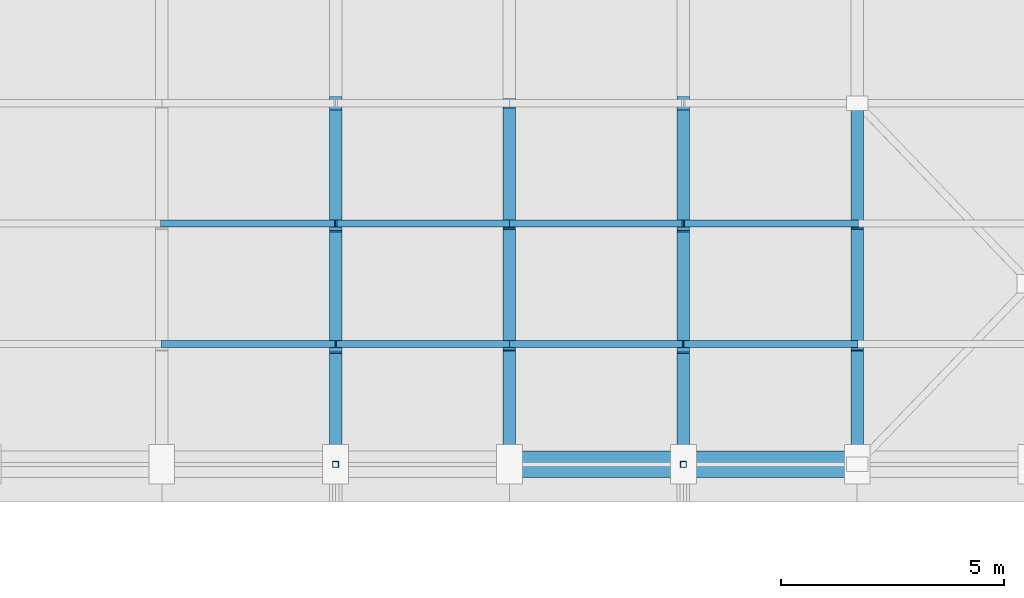
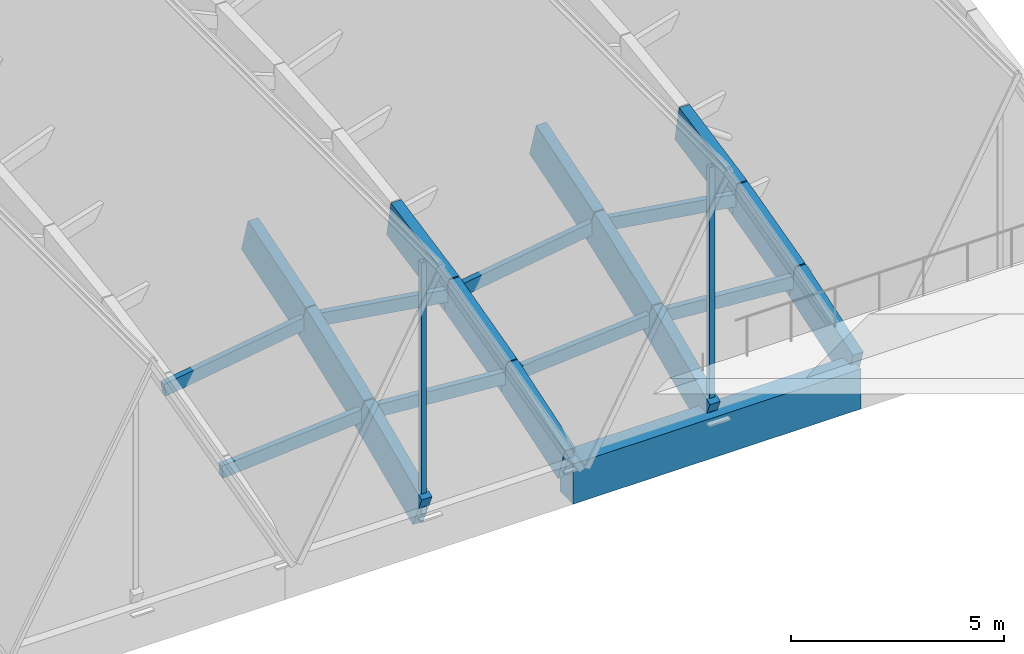
# One storey, part 8 of 39: 22 members, 1 beam.
"""IFC4 building model written with IfcOpenShell, lengths in metres."""

from ifc_helpers import new_model, si_unit, direction, frame, origin, origin_2d, place, context, subcontext, project, spatial, rectangle, hollow_rectangle, extrude, material, material_profile, profile_set, type_object, element, save


model = new_model("IFC4")

# Units and contexts
model_context = context("Model", 3, precision=1e-05, world=origin(), true_north=direction((0.0, 1.0)))
body_context = subcontext(model_context, "Body", "Model", "MODEL_VIEW")
ifc_project = project(units=[si_unit("LENGTHUNIT", "METRE"), si_unit("AREAUNIT", "SQUARE_METRE"), si_unit("VOLUMEUNIT", "CUBIC_METRE"), si_unit("PLANEANGLEUNIT", "RADIAN"), si_unit("MASSUNIT", "GRAM", prefix="KILO")], contexts=[model_context])

# Site, building, storey
site_placement = place(None, origin())
site = spatial("IfcSite", under=ifc_project, at=site_placement, CompositionType="ELEMENT")
building_placement = place(site_placement, origin())
building = spatial("IfcBuilding", under=site, at=building_placement, Name="Tizgana Railside Sports Hall", CompositionType="ELEMENT")
storey_placement = place(building_placement, frame((0.0, 0.0, 23.699951171875)))
storey = spatial("IfcBuildingStorey", under=building, at=storey_placement, Name="RF", CompositionType="ELEMENT", Elevation=23.699951171875)

# Beam
ifc_material_1 = material(Name="Concrete C40/50", Category="concrete")
ifc_material_profile_1 = material_profile(ifc_material_1, rectangle(XDim=0.60009765625, YDim=1.14990234375, at=origin_2d()), Name="RCB 600x1150")
ifc_profile_set_1 = profile_set([ifc_material_profile_1], Name="Concrete C40/50")
beam_type = type_object("IfcBeamType", Name="Concrete Beam RCB 600x1150", PredefinedType="BEAM", material=ifc_profile_set_1)
beam_placement = place(storey_placement, frame((39.0, 40.800048828125, -8.675048828125), z_axis=(1.0, 0.0, 0.0), x_axis=(0.0, 1.0, 0.0)))
element("IfcBeam", 1, at=beam_placement, inside=storey, type_object=beam_type, Name="RF BEM-1215", PredefinedType="BEAM", context=body_context, shape_type="SweptSolid", body=[
    extrude(rectangle(XDim=0.60009765625, YDim=1.14990234375, at=origin_2d()), origin(), (0.0, 0.0, 1.0), 7.800048828125),
])

# Members
ifc_material_2 = material(Name="Glulam GL32h", Category="wood")
ifc_material_profile_2 = material_profile(ifc_material_2, rectangle(XDim=0.280029296875, YDim=1.050048828125, at=origin_2d()), Name="GL 280x1050")
ifc_profile_set_2 = profile_set([ifc_material_profile_2], Name="Glulam GL32h")
member_type_1 = type_object("IfcMemberType", Name="Glulam Arch Segment GL 280x1050", PredefinedType="USERDEFINED", material=ifc_profile_set_2)
member_1_placement = place(storey_placement, frame((35.10009765625, 40.800048828125, -8.25), z_axis=(0.0, 0.91644048833, 0.400171002635), x_axis=(-1.0, 0.0, 0.0)))
element("IfcMember", 2, at=member_1_placement, inside=storey, type_object=member_type_1, Name="RF V1 Arch Chord MEM-0141", ObjectType="ARCH_SEGMENT", PredefinedType="USERDEFINED", context=body_context, shape_type="SweptSolid", body=[
    extrude(rectangle(XDim=0.280029296875, YDim=1.050048828125, at=origin_2d()), origin(), (0.0, 0.0, 1.0), 2.946044921875),
])
member_2_placement = place(storey_placement, frame((35.10009765625, 43.5, -7.071044921875), z_axis=(0.0, 0.936999478025, 0.349330757564), x_axis=(-1.0, 0.0, 0.0)))
element("IfcMember", 3, at=member_2_placement, inside=storey, type_object=member_type_1, Name="RF V1 Arch Chord MEM-0142", ObjectType="ARCH_SEGMENT", PredefinedType="USERDEFINED", context=body_context, shape_type="SweptSolid", body=[
    extrude(rectangle(XDim=0.280029296875, YDim=1.050048828125, at=origin_2d()), origin(), (0.0, 0.0, 1.0), 2.881591796875),
])
member_3_placement = place(storey_placement, frame((35.10009765625, 46.199951171875, -6.064453125), z_axis=(0.0, 0.954601237081, 0.297886686786), x_axis=(-1.0, 0.0, 0.0)))
element("IfcMember", 4, at=member_3_placement, inside=storey, type_object=member_type_1, Name="RF V1 Arch Chord MEM-0143", ObjectType="ARCH_SEGMENT", PredefinedType="USERDEFINED", context=body_context, shape_type="SweptSolid", body=[
    extrude(rectangle(XDim=0.280029296875, YDim=1.050048828125, at=origin_2d()), origin(), (0.0, 0.0, 1.0), 2.828369140625),
])
member_4_placement = place(storey_placement, frame((39.0, 40.800048828125, -8.25), z_axis=(0.0, 0.95088673489, 0.309539040203), x_axis=(-1.0, 0.0, 0.0)))
element("IfcMember", 5, at=member_4_placement, inside=storey, type_object=member_type_1, Name="RF V1 Arch Chord MEM-0154", ObjectType="ARCH_SEGMENT", PredefinedType="USERDEFINED", context=body_context, shape_type="SweptSolid", body=[
    extrude(rectangle(XDim=0.280029296875, YDim=1.050048828125, at=origin_2d()), origin(), (0.0, 0.0, 1.0), 2.83935546875),
])
member_5_placement = place(storey_placement, frame((39.0, 43.5, -7.37109375), z_axis=(0.0, 0.96740233444, 0.253244394448), x_axis=(-1.0, 0.0, 0.0)))
element("IfcMember", 6, at=member_5_placement, inside=storey, type_object=member_type_1, Name="RF V1 Arch Chord MEM-0155", ObjectType="ARCH_SEGMENT", PredefinedType="USERDEFINED", context=body_context, shape_type="SweptSolid", body=[
    extrude(rectangle(XDim=0.280029296875, YDim=1.050048828125, at=origin_2d()), origin(), (0.0, 0.0, 1.0), 2.791015625),
])
member_6_placement = place(storey_placement, frame((39.0, 46.199951171875, -6.664306640625), z_axis=(0.0, 0.980423512867, 0.196900318481), x_axis=(-1.0, 0.0, 0.0)))
element("IfcMember", 7, at=member_6_placement, inside=storey, type_object=member_type_1, Name="RF V1 Arch Chord MEM-0156", ObjectType="ARCH_SEGMENT", PredefinedType="USERDEFINED", context=body_context, shape_type="SweptSolid", body=[
    extrude(rectangle(XDim=0.280029296875, YDim=1.050048828125, at=origin_2d()), origin(), (0.0, 0.0, 1.0), 2.75390625),
])
member_7_placement = place(storey_placement, frame((42.89990234375, 40.800048828125, -8.25), z_axis=(0.0, 0.91644048833, 0.400171002635), x_axis=(-1.0, 0.0, 0.0)))
element("IfcMember", 8, at=member_7_placement, inside=storey, type_object=member_type_1, Name="RF V1 Arch Chord MEM-0167", ObjectType="ARCH_SEGMENT", PredefinedType="USERDEFINED", context=body_context, shape_type="SweptSolid", body=[
    extrude(rectangle(XDim=0.280029296875, YDim=1.050048828125, at=origin_2d()), origin(), (0.0, 0.0, 1.0), 2.946044921875),
])
member_8_placement = place(storey_placement, frame((42.89990234375, 43.5, -7.071044921875), z_axis=(0.0, 0.936999478025, 0.349330757564), x_axis=(-1.0, 0.0, 0.0)))
element("IfcMember", 9, at=member_8_placement, inside=storey, type_object=member_type_1, Name="RF V1 Arch Chord MEM-0168", ObjectType="ARCH_SEGMENT", PredefinedType="USERDEFINED", context=body_context, shape_type="SweptSolid", body=[
    extrude(rectangle(XDim=0.280029296875, YDim=1.050048828125, at=origin_2d()), origin(), (0.0, 0.0, 1.0), 2.881591796875),
])
member_9_placement = place(storey_placement, frame((42.89990234375, 46.199951171875, -6.064453125), z_axis=(0.0, 0.954601237081, 0.297886686786), x_axis=(-1.0, 0.0, 0.0)))
element("IfcMember", 10, at=member_9_placement, inside=storey, type_object=member_type_1, Name="RF V1 Arch Chord MEM-0169", ObjectType="ARCH_SEGMENT", PredefinedType="USERDEFINED", context=body_context, shape_type="SweptSolid", body=[
    extrude(rectangle(XDim=0.280029296875, YDim=1.050048828125, at=origin_2d()), origin(), (0.0, 0.0, 1.0), 2.828369140625),
])
member_10_placement = place(storey_placement, frame((46.800048828125, 40.800048828125, -8.25), z_axis=(0.0, 0.95088673489, 0.309539040203), x_axis=(-1.0, 0.0, 0.0)))
element("IfcMember", 11, at=member_10_placement, inside=storey, type_object=member_type_1, Name="RF V1 Arch Chord MEM-0180", ObjectType="ARCH_SEGMENT", PredefinedType="USERDEFINED", context=body_context, shape_type="SweptSolid", body=[
    extrude(rectangle(XDim=0.280029296875, YDim=1.050048828125, at=origin_2d()), origin(), (0.0, 0.0, 1.0), 2.83935546875),
])
member_11_placement = place(storey_placement, frame((46.800048828125, 43.5, -7.37109375), z_axis=(0.0, 0.96740233444, 0.253244394448), x_axis=(-1.0, 0.0, 0.0)))
element("IfcMember", 12, at=member_11_placement, inside=storey, type_object=member_type_1, Name="RF V1 Arch Chord MEM-0181", ObjectType="ARCH_SEGMENT", PredefinedType="USERDEFINED", context=body_context, shape_type="SweptSolid", body=[
    extrude(rectangle(XDim=0.280029296875, YDim=1.050048828125, at=origin_2d()), origin(), (0.0, 0.0, 1.0), 2.791015625),
])
member_12_placement = place(storey_placement, frame((46.800048828125, 46.199951171875, -6.664306640625), z_axis=(0.0, 0.980423512867, 0.196900318481), x_axis=(-1.0, 0.0, 0.0)))
element("IfcMember", 13, at=member_12_placement, inside=storey, type_object=member_type_1, Name="RF V1 Arch Chord MEM-0182", ObjectType="ARCH_SEGMENT", PredefinedType="USERDEFINED", context=body_context, shape_type="SweptSolid", body=[
    extrude(rectangle(XDim=0.280029296875, YDim=1.050048828125, at=origin_2d()), origin(), (0.0, 0.0, 1.0), 2.75390625),
])
ifc_material_3 = material(Name="Glulam GL28h", Category="wood")
ifc_material_profile_3 = material_profile(ifc_material_3, rectangle(XDim=0.159912109375, YDim=0.360107421875, at=origin_2d()), Name="GL 160x360")
ifc_profile_set_3 = profile_set([ifc_material_profile_3], Name="Glulam GL28h")
member_type_2 = type_object("IfcMemberType", Name="Glulam Roof Purlin GL 160x360", PredefinedType="PURLIN", material=ifc_profile_set_3)
member_13_placement = place(storey_placement, frame((31.199951171875, 43.5, -7.37109375), z_axis=(0.997053751181, 0.0, 0.076706044457), x_axis=(0.0, 1.0, 0.0)))
element("IfcMember", 14, at=member_13_placement, inside=storey, type_object=member_type_2, Name="RF V1 Purlin MEM-0327", PredefinedType="PURLIN", context=body_context, shape_type="SweptSolid", body=[
    extrude(rectangle(XDim=0.159912109375, YDim=0.360107421875, at=origin_2d()), origin(), (0.0, 0.0, 1.0), 3.91162109375),
])
member_14_placement = place(storey_placement, frame((35.10009765625, 43.5, -7.071044921875), z_axis=(0.997053383918, 0.0, -0.076710818132), x_axis=(0.0, 1.0, 0.0)))
element("IfcMember", 15, at=member_14_placement, inside=storey, type_object=member_type_2, Name="RF V1 Purlin MEM-0328", PredefinedType="PURLIN", context=body_context, shape_type="SweptSolid", body=[
    extrude(rectangle(XDim=0.159912109375, YDim=0.360107421875, at=origin_2d()), origin(), (0.0, 0.0, 1.0), 3.911376953125),
])
member_15_placement = place(storey_placement, frame((31.199951171875, 46.199951171875, -6.664306640625), z_axis=(0.988378134138, 0.0, 0.152015341194), x_axis=(0.0, 1.0, 0.0)))
element("IfcMember", 16, at=member_15_placement, inside=storey, type_object=member_type_2, Name="RF V1 Purlin MEM-0329", PredefinedType="PURLIN", context=body_context, shape_type="SweptSolid", body=[
    extrude(rectangle(XDim=0.159912109375, YDim=0.360107421875, at=origin_2d()), origin(), (0.0, 0.0, 1.0), 3.946044921875),
])
member_16_placement = place(storey_placement, frame((35.10009765625, 46.199951171875, -6.064453125), z_axis=(0.988376704266, 0.0, -0.152024637685), x_axis=(0.0, 1.0, 0.0)))
element("IfcMember", 17, at=member_16_placement, inside=storey, type_object=member_type_2, Name="RF V1 Purlin MEM-0330", PredefinedType="PURLIN", context=body_context, shape_type="SweptSolid", body=[
    extrude(rectangle(XDim=0.159912109375, YDim=0.360107421875, at=origin_2d()), origin(), (0.0, 0.0, 1.0), 3.94580078125),
])
member_17_placement = place(storey_placement, frame((39.0, 43.5, -7.37109375), z_axis=(0.997053383918, 0.0, 0.076710818132), x_axis=(0.0, 1.0, 0.0)))
element("IfcMember", 18, at=member_17_placement, inside=storey, type_object=member_type_2, Name="RF V1 Purlin MEM-0352", PredefinedType="PURLIN", context=body_context, shape_type="SweptSolid", body=[
    extrude(rectangle(XDim=0.159912109375, YDim=0.360107421875, at=origin_2d()), origin(), (0.0, 0.0, 1.0), 3.911376953125),
])
member_18_placement = place(storey_placement, frame((42.89990234375, 43.5, -7.071044921875), z_axis=(0.997053751181, 0.0, -0.076706044457), x_axis=(0.0, 1.0, 0.0)))
element("IfcMember", 19, at=member_18_placement, inside=storey, type_object=member_type_2, Name="RF V1 Purlin MEM-0353", PredefinedType="PURLIN", context=body_context, shape_type="SweptSolid", body=[
    extrude(rectangle(XDim=0.159912109375, YDim=0.360107421875, at=origin_2d()), origin(), (0.0, 0.0, 1.0), 3.91162109375),
])
member_19_placement = place(storey_placement, frame((39.0, 46.199951171875, -6.664306640625), z_axis=(0.988376704266, 0.0, 0.152024637685), x_axis=(0.0, 1.0, 0.0)))
element("IfcMember", 20, at=member_19_placement, inside=storey, type_object=member_type_2, Name="RF V1 Purlin MEM-0354", PredefinedType="PURLIN", context=body_context, shape_type="SweptSolid", body=[
    extrude(rectangle(XDim=0.159912109375, YDim=0.360107421875, at=origin_2d()), origin(), (0.0, 0.0, 1.0), 3.94580078125),
])
member_20_placement = place(storey_placement, frame((42.89990234375, 46.199951171875, -6.064453125), z_axis=(0.988378134138, 0.0, -0.152015341194), x_axis=(0.0, 1.0, 0.0)))
element("IfcMember", 21, at=member_20_placement, inside=storey, type_object=member_type_2, Name="RF V1 Purlin MEM-0355", PredefinedType="PURLIN", context=body_context, shape_type="SweptSolid", body=[
    extrude(rectangle(XDim=0.159912109375, YDim=0.360107421875, at=origin_2d()), origin(), (0.0, 0.0, 1.0), 3.946044921875),
])
ifc_material_4 = material(Name="Steel S355J2", Category="steel")
ifc_material_profile_4 = material_profile(ifc_material_4, hollow_rectangle(XDim=0.139892578125, YDim=0.139892578125, WallThickness=0.008056640625, at=origin_2d()), Name="SHS 140x140x8")
ifc_profile_set_4 = profile_set([ifc_material_profile_4], Name="Steel S355J2")
member_type_3 = type_object("IfcMemberType", Name="Steel Brace SHS 140x140x8", PredefinedType="BRACE", material=ifc_profile_set_4)
for number, where, z_axis, x_axis, name in (
    (22, (35.10009765625, 40.800048828125, -8.300048828125), (0.0, 0.0, 1.0), (1.0, 0.0, 0.0), "RF King Post"),
    (23, (42.89990234375, 40.800048828125, -8.300048828125), (0.0, 0.0, 1.0), (1.0, 0.0, 0.0), "RF King Post"),
):
    element("IfcMember", number, at=place(storey_placement, frame(where, z_axis=z_axis, x_axis=x_axis)), inside=storey, type_object=member_type_3, Name=name, PredefinedType="BRACE", context=body_context, shape_type="SweptSolid", body=[
        extrude(hollow_rectangle(XDim=0.139892578125, YDim=0.139892578125, WallThickness=0.008056640625, at=origin_2d()), origin(), (0.0, 0.0, 1.0), 7.2001953125),
    ])

save(model, "model.ifc")
